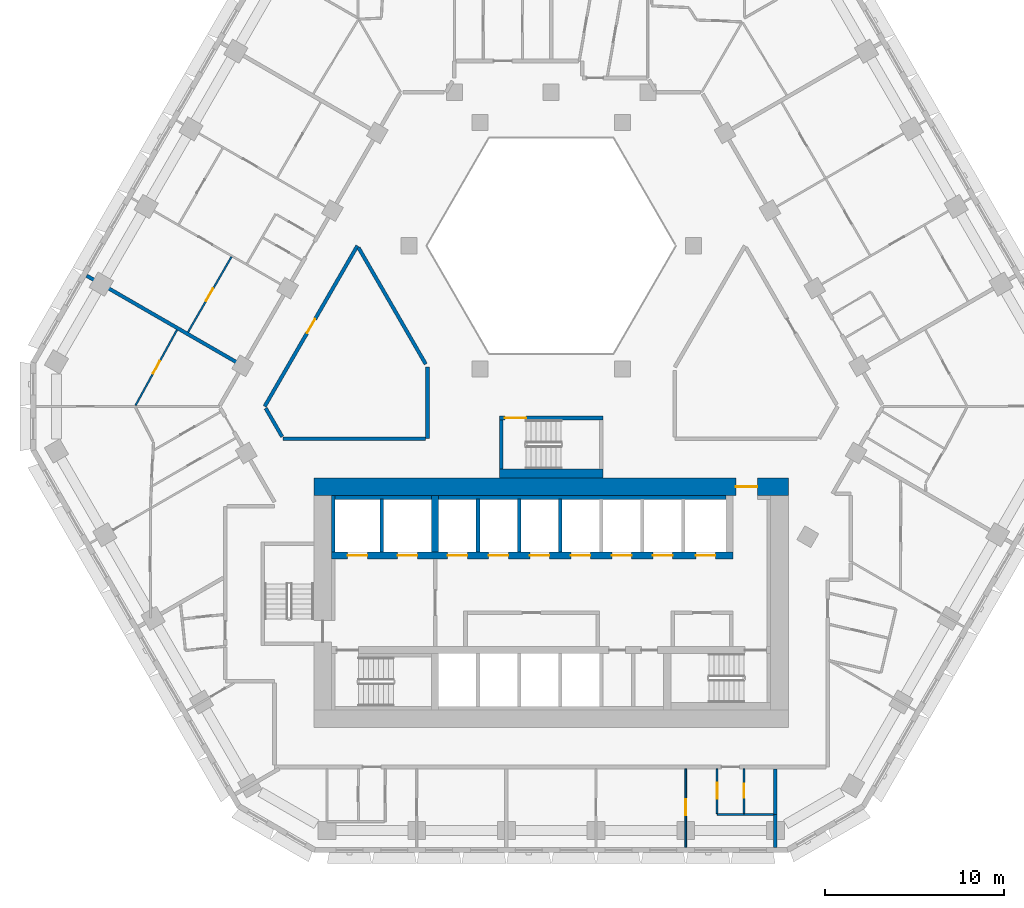
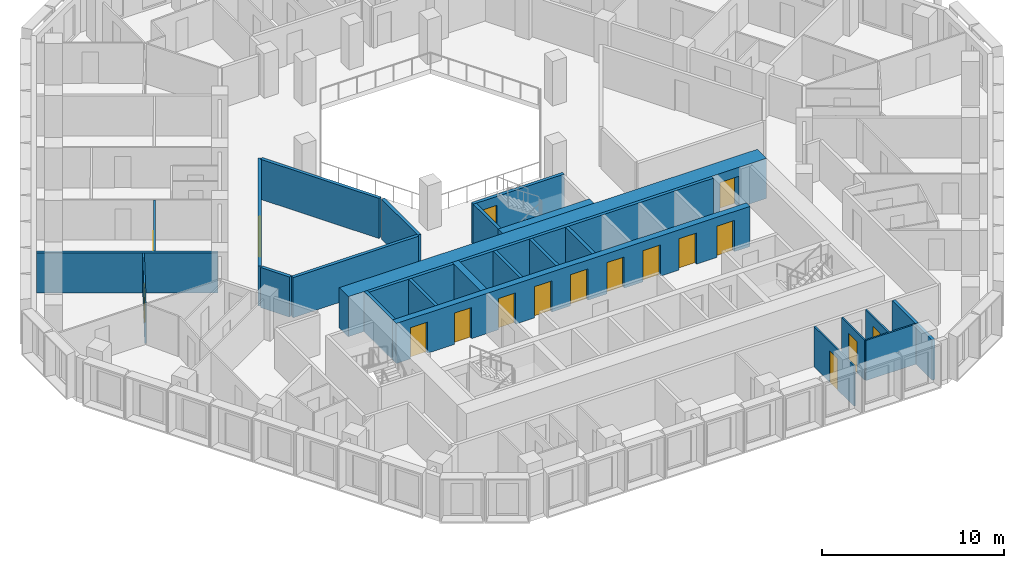
# One storey, part 5 of 18: 27 walls, 17 doors, 17 openings.
"""IFC4 building model written with IfcOpenShell, lengths in metres."""

from ifc_helpers import new_model, si_unit, direction, frame, frame_2d, origin, place, context, subcontext, project, spatial, rectangle, extrude, material, layer, layer_set, type_object, element, fill, save


model = new_model("IFC4")

# Units and contexts
model_context = context("Model", 3, precision=1e-05, world=origin(), true_north=direction((0.0, 1.0)))
body_context = subcontext(model_context, "Body", "Model", "MODEL_VIEW")
ifc_project = project(units=[si_unit("LENGTHUNIT", "METRE"), si_unit("AREAUNIT", "SQUARE_METRE"), si_unit("VOLUMEUNIT", "CUBIC_METRE"), si_unit("PLANEANGLEUNIT", "RADIAN"), si_unit("MASSUNIT", "GRAM", prefix="KILO")], contexts=[model_context])

# Site, building, storey
site_placement = place(None, origin())
site = spatial("IfcSite", under=ifc_project, at=site_placement, CompositionType="ELEMENT")
building_placement = place(site_placement, origin())
building = spatial("IfcBuilding", under=site, at=building_placement, Name="Beryl Residences", CompositionType="ELEMENT")
storey_placement = place(building_placement, frame((0.0, 0.0, 81.0)))
storey = spatial("IfcBuildingStorey", under=building, at=storey_placement, Name="L24", CompositionType="ELEMENT", Elevation=81.0)

# Wall, opening, door
ifc_material_1 = material(Name="Gypsum board partition on steel studs", Category="steel")
ifc_layer_1 = layer(ifc_material_1, 0.10009765625)
ifc_layer_set_1 = layer_set([ifc_layer_1], Name="PT1 partition 100 mm gypsum board on steel studs")
wall_type_1 = type_object("IfcWallType", Name="PT1 partition 100 mm gypsum board on steel studs", PredefinedType="PARTITIONING", material=ifc_layer_set_1)
wall_1_placement = place(storey_placement, frame((9.29296875, -21.300048828125, 0.0), z_axis=(0.0, 0.0, 1.0), x_axis=(0.0, -1.0, 0.0)))
wall_1 = element("IfcWall", 1, at=wall_1_placement, inside=storey, type_object=wall_type_1, Name="Wall PT1 L24 016", PredefinedType="PARTITIONING", context=body_context, shape_type="SweptSolid", body=[
    extrude(rectangle(XDim=2.509033203125, YDim=0.10009765625, at=frame_2d((1.25439453125, 0.0))), origin(), (0.0, 0.0, 1.0), 2.699951171875),
])
opening_1_placement = place(wall_1_placement, frame((0.780029296875, 0.0, 0.0)))
opening_1 = element("IfcOpeningElement", 2, at=opening_1_placement, cuts=wall_1, Name="Opening D0634", PredefinedType="OPENING", context=body_context, shape_type="SweptSolid", body=[
    extrude(rectangle(XDim=0.89990234375, YDim=2.10009765625, at=frame_2d((0.449951171875, 1.050048828125))), frame((0.0, 0.06005859375, 0.0), z_axis=(0.0, -1.0, 0.0), x_axis=(1.0, 0.0, 0.0)), (0.0, 0.0, 1.0), 0.1201171875),
])
ifc_material_2 = material(Name="Timber door leaf", Category="wood")
door_type_1 = type_object("IfcDoorType", Name="D2 room door 900 x 2100 mm", OperationType="SINGLE_SWING_LEFT", PredefinedType="DOOR", material=ifc_material_2)
door_1_placement = place(opening_1_placement, origin())
door_1 = element("IfcDoor", 3, at=door_1_placement, inside=storey, type_object=door_type_1, Name="Door D0634 L24 001", OperationType="SINGLE_SWING_RIGHT", OverallHeight=2.10009765625, OverallWidth=0.89990234375, PredefinedType="DOOR", context=body_context, shape_type="SweptSolid", body=[
    extrude(rectangle(XDim=0.89990234375, YDim=2.10009765625, at=frame_2d((0.449951171875, 1.050048828125))), frame((0.0, 0.02490234375, 0.0), z_axis=(0.0, -1.0, 0.0), x_axis=(1.0, 0.0, 0.0)), (0.0, 0.0, 1.0), 0.050048828125),
])
fill(opening_1, door_1)

# Wall
wall_2_placement = place(storey_placement, frame((9.2939453125, -23.860107421875, 0.0), z_axis=(0.0, 0.0, 1.0), x_axis=(1.0, 0.0, 0.0)))
element("IfcWall", 4, at=wall_2_placement, inside=storey, type_object=wall_type_1, Name="Wall PT1 L24 034", PredefinedType="PARTITIONING", context=body_context, shape_type="SweptSolid", body=[
    extrude(rectangle(XDim=3.1640625, YDim=0.10009765625, at=frame_2d((1.58203125, 0.0))), origin(), (0.0, 0.0, 1.0), 2.699951171875),
])

# Wall, opening, door
wall_3_placement = place(storey_placement, frame((-20.344970703125, 3.162109375, 0.0), z_axis=(0.0, 0.0, 1.0), x_axis=(0.499943653708, 0.866057932887, 0.0)))
wall_3 = element("IfcWall", 5, at=wall_3_placement, inside=storey, type_object=wall_type_1, Name="Wall PT1 L24 043", PredefinedType="PARTITIONING", context=body_context, shape_type="SweptSolid", body=[
    extrude(rectangle(XDim=4.87255859375, YDim=0.10009765625, at=frame_2d((2.436279296875, 0.0))), origin(), (0.0, 0.0, 1.0), 2.699951171875),
])
opening_2_placement = place(wall_3_placement, frame((2.010986328125, 0.0, 0.0)))
opening_2 = element("IfcOpeningElement", 6, at=opening_2_placement, cuts=wall_3, Name="Opening D0616", PredefinedType="OPENING", context=body_context, shape_type="SweptSolid", body=[
    extrude(rectangle(XDim=0.800048828125, YDim=2.10009765625, at=frame_2d((0.39990234375, 1.050048828125))), frame((0.0, 0.06005859375, 0.0), z_axis=(0.0, -1.0, 0.0), x_axis=(1.0, 0.0, 0.0)), (0.0, 0.0, 1.0), 0.1201171875),
])
ifc_material_3 = material(Name="Timber door leaf", Category="wood")
door_type_2 = type_object("IfcDoorType", Name="D3 bathroom door 800 x 2100 mm", OperationType="SINGLE_SWING_LEFT", PredefinedType="DOOR", material=ifc_material_3)
door_2_placement = place(opening_2_placement, origin())
door_2 = element("IfcDoor", 7, at=door_2_placement, inside=storey, type_object=door_type_2, Name="Door D0616 L24 001", OperationType="SINGLE_SWING_RIGHT", OverallHeight=2.10009765625, OverallWidth=0.800048828125, PredefinedType="DOOR", context=body_context, shape_type="SweptSolid", body=[
    extrude(rectangle(XDim=0.800048828125, YDim=2.10009765625, at=frame_2d((0.39990234375, 1.050048828125))), frame((0.0, 0.02490234375, 0.0), z_axis=(0.0, -1.0, 0.0), x_axis=(1.0, 0.0, 0.0)), (0.0, 0.0, 1.0), 0.050048828125),
])
fill(opening_2, door_2)

wall_4_placement = place(storey_placement, frame((-23.2890625, -0.950927734375, 0.0), z_axis=(0.0, 0.0, 1.0), x_axis=(0.481164463081, 0.876630343684, 0.0)))
wall_4 = element("IfcWall", 8, at=wall_4_placement, inside=storey, type_object=wall_type_1, Name="Wall PT1 L24 046", PredefinedType="PARTITIONING", context=body_context, shape_type="SweptSolid", body=[
    extrude(rectangle(XDim=4.83447265625, YDim=0.10009765625, at=frame_2d((2.417236328125, 0.0))), origin(), (0.0, 0.0, 1.0), 2.699951171875),
])
opening_3_placement = place(wall_4_placement, frame((2.0390625, 0.0, 0.0)))
opening_3 = element("IfcOpeningElement", 9, at=opening_3_placement, cuts=wall_4, Name="Opening D0624", PredefinedType="OPENING", context=body_context, shape_type="SweptSolid", body=[
    extrude(rectangle(XDim=0.800048828125, YDim=2.10009765625, at=frame_2d((0.39990234375, 1.050048828125))), frame((0.0, 0.06005859375, 0.0), z_axis=(0.0, -1.0, 0.0), x_axis=(1.0, 0.0, 0.0)), (0.0, 0.0, 1.0), 0.1201171875),
])
door_3_placement = place(opening_3_placement, origin())
door_3 = element("IfcDoor", 10, at=door_3_placement, inside=storey, type_object=door_type_2, Name="Door D0624 L24 001", OperationType="SINGLE_SWING_RIGHT", OverallHeight=2.10009765625, OverallWidth=0.800048828125, PredefinedType="DOOR", context=body_context, shape_type="SweptSolid", body=[
    extrude(rectangle(XDim=0.800048828125, YDim=2.10009765625, at=frame_2d((0.39990234375, 1.050048828125))), frame((0.0, 0.02490234375, 0.0), z_axis=(0.0, -1.0, 0.0), x_axis=(1.0, 0.0, 0.0)), (0.0, 0.0, 1.0), 0.050048828125),
])
fill(opening_3, door_3)

wall_5_placement = place(storey_placement, frame((7.534912109375, -25.699951171875, 0.0), z_axis=(0.0, 0.0, 1.0), x_axis=(0.0, 1.0, 0.0)))
wall_5 = element("IfcWall", 11, at=wall_5_placement, inside=storey, type_object=wall_type_1, Name="Wall PT1 L24 056", PredefinedType="PARTITIONING", context=body_context, shape_type="SweptSolid", body=[
    extrude(rectangle(XDim=4.39990234375, YDim=0.10009765625, at=frame_2d((2.199951171875, 0.0))), origin(), (0.0, 0.0, 1.0), 2.699951171875),
])
opening_4_placement = place(wall_5_placement, frame((1.800048828125, 0.0, 0.0)))
opening_4 = element("IfcOpeningElement", 12, at=opening_4_placement, cuts=wall_5, Name="Opening D0636", PredefinedType="OPENING", context=body_context, shape_type="SweptSolid", body=[
    extrude(rectangle(XDim=0.89990234375, YDim=2.10009765625, at=frame_2d((0.449951171875, 1.050048828125))), frame((0.0, 0.06005859375, 0.0), z_axis=(0.0, -1.0, 0.0), x_axis=(1.0, 0.0, 0.0)), (0.0, 0.0, 1.0), 0.1201171875),
])
door_4_placement = place(opening_4_placement, origin())
door_4 = element("IfcDoor", 13, at=door_4_placement, inside=storey, type_object=door_type_1, Name="Door D0636 L24 001", OperationType="SINGLE_SWING_RIGHT", OverallHeight=2.10009765625, OverallWidth=0.89990234375, PredefinedType="DOOR", context=body_context, shape_type="SweptSolid", body=[
    extrude(rectangle(XDim=0.89990234375, YDim=2.10009765625, at=frame_2d((0.449951171875, 1.050048828125))), frame((0.0, 0.02490234375, 0.0), z_axis=(0.0, -1.0, 0.0), x_axis=(1.0, 0.0, 0.0)), (0.0, 0.0, 1.0), 0.050048828125),
])
fill(opening_4, door_4)

wall_6_placement = place(storey_placement, frame((10.800048828125, -23.81005859375, 0.0), z_axis=(0.0, 0.0, 1.0), x_axis=(0.0, 1.0, 0.0)))
wall_6 = element("IfcWall", 14, at=wall_6_placement, inside=storey, type_object=wall_type_1, Name="Wall PT1 L24 057", PredefinedType="PARTITIONING", context=body_context, shape_type="SweptSolid", body=[
    extrude(rectangle(XDim=2.510009765625, YDim=0.10009765625, at=frame_2d((1.2548828125, 0.0))), origin(), (0.0, 0.0, 1.0), 2.699951171875),
])
opening_5_placement = place(wall_6_placement, frame((0.8798828125, 0.0, 0.0)))
opening_5 = element("IfcOpeningElement", 15, at=opening_5_placement, cuts=wall_6, Name="Opening D0635", PredefinedType="OPENING", context=body_context, shape_type="SweptSolid", body=[
    extrude(rectangle(XDim=0.800048828125, YDim=2.10009765625, at=frame_2d((0.39990234375, 1.050048828125))), frame((0.0, 0.06005859375, 0.0), z_axis=(0.0, -1.0, 0.0), x_axis=(1.0, 0.0, 0.0)), (0.0, 0.0, 1.0), 0.1201171875),
])
door_5_placement = place(opening_5_placement, origin())
door_5 = element("IfcDoor", 16, at=door_5_placement, inside=storey, type_object=door_type_2, Name="Door D0635 L24 001", OperationType="SINGLE_SWING_LEFT", OverallHeight=2.10009765625, OverallWidth=0.800048828125, PredefinedType="DOOR", context=body_context, shape_type="SweptSolid", body=[
    extrude(rectangle(XDim=0.800048828125, YDim=2.10009765625, at=frame_2d((0.39990234375, 1.050048828125))), frame((0.0, 0.02490234375, 0.0), z_axis=(0.0, -1.0, 0.0), x_axis=(1.0, 0.0, 0.0)), (0.0, 0.0, 1.0), 0.050048828125),
])
fill(opening_5, door_5)

# Walls
ifc_material_4 = material(Name="Acoustic double stud gypsum board wall")
ifc_layer_2 = layer(ifc_material_4, 0.199951171875)
ifc_layer_set_2 = layer_set([ifc_layer_2], Name="PT3 party wall 200 mm acoustic double stud")
wall_type_2 = type_object("IfcWallType", Name="PT3 party wall 200 mm acoustic double stud", PredefinedType="PARTITIONING", material=ifc_layer_set_2)
wall_7_placement = place(storey_placement, frame((12.55810546875, -23.860107421875, 0.0), z_axis=(0.0, 0.0, 1.0), x_axis=(0.0, -1.0, 0.0)))
element("IfcWall", 17, at=wall_7_placement, inside=storey, type_object=wall_type_2, Name="Wall PT3 L24 001", PredefinedType="PARTITIONING", context=body_context, shape_type="SweptSolid", body=[
    extrude(rectangle(XDim=1.83984375, YDim=0.199951171875, at=frame_2d((0.919921875, 0.0))), origin(), (0.0, 0.0, 1.0), 2.699951171875),
])
wall_8_placement = place(storey_placement, frame((-26.02490234375, 6.324951171875, 0.0), z_axis=(0.0, 0.0, 1.0), x_axis=(0.866041268327, -0.499972520799, 0.0)))
element("IfcWall", 18, at=wall_8_placement, inside=storey, type_object=wall_type_2, Name="Wall PT3 L24 002", PredefinedType="PARTITIONING", context=body_context, shape_type="SweptSolid", body=[
    extrude(rectangle(XDim=10.00048828125, YDim=0.199951171875, at=frame_2d((5.000244140625, 0.0))), origin(), (0.0, 0.0, 1.0), 2.699951171875),
])
wall_9_placement = place(storey_placement, frame((12.55810546875, -23.860107421875, 0.0), z_axis=(0.0, 0.0, 1.0), x_axis=(0.0, 1.0, 0.0)))
element("IfcWall", 19, at=wall_9_placement, inside=storey, type_object=wall_type_2, Name="Wall PT3 L24 005", PredefinedType="PARTITIONING", context=body_context, shape_type="SweptSolid", body=[
    extrude(rectangle(XDim=2.56005859375, YDim=0.199951171875, at=frame_2d((1.280029296875, 0.0))), origin(), (0.0, 0.0, 1.0), 2.699951171875),
])
ifc_material_5 = material(Name="Double stud gypsum board wall")
ifc_layer_3 = layer(ifc_material_5, 0.199951171875)
ifc_layer_set_3 = layer_set([ifc_layer_3], Name="PT4 corridor wall 200 mm double stud")
wall_type_3 = type_object("IfcWallType", Name="PT4 corridor wall 200 mm double stud", PredefinedType="PARTITIONING", material=ifc_layer_set_3)
wall_10_placement = place(storey_placement, frame((-10.7958984375, 7.89892578125, 0.0), z_axis=(0.0, 0.0, 1.0), x_axis=(0.500010383074, -0.866019409031, 0.0)))
element("IfcWall", 20, at=wall_10_placement, inside=storey, type_object=wall_type_3, Name="Wall PT4 L24 001", PredefinedType="PARTITIONING", context=body_context, shape_type="SweptSolid", body=[
    extrude(rectangle(XDim=7.535400390625, YDim=0.199951171875, at=frame_2d((3.767578125, 0.0))), origin(), (0.0, 0.0, 1.0), 2.699951171875),
])
wall_11_placement = place(storey_placement, frame((-15.992919921875, -1.10107421875, 0.0), z_axis=(0.0, 0.0, 1.0), x_axis=(0.499894174133, -0.866086493757, 0.0)))
element("IfcWall", 21, at=wall_11_placement, inside=storey, type_object=wall_type_3, Name="Wall PT4 L24 002", PredefinedType="PARTITIONING", context=body_context, shape_type="SweptSolid", body=[
    extrude(rectangle(XDim=1.84619140625, YDim=0.199951171875, at=frame_2d((0.923095703125, 0.0))), origin(), (0.0, 0.0, 1.0), 2.699951171875),
])
wall_12_placement = place(storey_placement, frame((-15.010986328125, -2.800048828125, 0.0), z_axis=(0.0, 0.0, 1.0), x_axis=(1.0, 0.0, 0.0)))
element("IfcWall", 22, at=wall_12_placement, inside=storey, type_object=wall_type_3, Name="Wall PT4 L24 017", PredefinedType="PARTITIONING", context=body_context, shape_type="SweptSolid", body=[
    extrude(rectangle(XDim=7.98193359375, YDim=0.199951171875, at=frame_2d((3.990966796875, 0.0))), origin(), (0.0, 0.0, 1.0), 2.699951171875),
])

# Wall, opening, door
wall_13_placement = place(storey_placement, frame((-16.050048828125, -1.0, 0.0), z_axis=(0.0, 0.0, 1.0), x_axis=(0.499962449088, 0.866047082728, 0.0)))
wall_13 = element("IfcWall", 23, at=wall_13_placement, inside=storey, type_object=wall_type_3, Name="Wall PT4 L24 026", PredefinedType="PARTITIONING", context=body_context, shape_type="SweptSolid", body=[
    extrude(rectangle(XDim=10.390869140625, YDim=0.199951171875, at=frame_2d((5.1953125, 0.0))), origin(), (0.0, 0.0, 1.0), 2.699951171875),
])
opening_6_placement = place(wall_13_placement, frame((4.7451171875, 0.0, 0.0)))
opening_6 = element("IfcOpeningElement", 24, at=opening_6_placement, cuts=wall_13, Name="Opening D0666", PredefinedType="OPENING", context=body_context, shape_type="SweptSolid", body=[
    extrude(rectangle(XDim=0.89990234375, YDim=2.10009765625, at=frame_2d((0.449951171875, 1.050048828125))), frame((0.0, 0.10986328125, 0.0), z_axis=(0.0, -1.0, 0.0), x_axis=(1.0, 0.0, 0.0)), (0.0, 0.0, 1.0), 0.219970703125),
])
door_6_placement = place(opening_6_placement, origin())
door_6 = element("IfcDoor", 25, at=door_6_placement, inside=storey, type_object=door_type_1, Name="Door D0666 L24 001", OperationType="SINGLE_SWING_RIGHT", OverallHeight=2.10009765625, OverallWidth=0.89990234375, PredefinedType="DOOR", context=body_context, shape_type="SweptSolid", body=[
    extrude(rectangle(XDim=0.89990234375, YDim=2.10009765625, at=frame_2d((0.449951171875, 1.050048828125))), frame((0.0, 0.02490234375, 0.0), z_axis=(0.0, -1.0, 0.0), x_axis=(1.0, 0.0, 0.0)), (0.0, 0.0, 1.0), 0.050048828125),
])
fill(opening_6, door_6)

# Wall
wall_14_placement = place(storey_placement, frame((-6.927978515625, -2.799072265625, 0.0), z_axis=(0.0, 0.0, 1.0), x_axis=(0.0, 1.0, 0.0)))
element("IfcWall", 26, at=wall_14_placement, inside=storey, type_object=wall_type_3, Name="Wall PT4 L24 032", PredefinedType="PARTITIONING", context=body_context, shape_type="SweptSolid", body=[
    extrude(rectangle(XDim=3.9990234375, YDim=0.199951171875, at=frame_2d((1.99951171875, 0.0))), origin(), (0.0, 0.0, 1.0), 2.699951171875),
])

# Wall, opening, door
ifc_material_6 = material(Name="Concrete C40/50", Category="concrete")
ifc_layer_4 = layer(ifc_material_6, 0.199951171875)
ifc_layer_set_4 = layer_set([ifc_layer_4], Name="PT5 stair enclosure wall 200 mm reinforced concrete C40/50")
wall_type_4 = type_object("IfcWallType", Name="PT5 stair enclosure wall 200 mm reinforced concrete C40/50", PredefinedType="SOLIDWALL", material=ifc_layer_set_4)
wall_15_placement = place(storey_placement, frame((-2.89990234375, -1.64990234375, 0.0), z_axis=(0.0, 0.0, 1.0), x_axis=(1.0, 0.0, 0.0)))
wall_15 = element("IfcWall", 27, at=wall_15_placement, inside=storey, type_object=wall_type_4, Name="Wall PT5 L24 001", PredefinedType="SOLIDWALL", context=body_context, shape_type="SweptSolid", body=[
    extrude(rectangle(XDim=5.7998046875, YDim=0.199951171875, at=frame_2d((2.89990234375, 0.0))), origin(), (0.0, 0.0, 1.0), 2.699951171875),
])
opening_7_placement = place(wall_15_placement, frame((0.300048828125, 0.0, 0.0)))
opening_7 = element("IfcOpeningElement", 28, at=opening_7_placement, cuts=wall_15, Name="Opening DS04", PredefinedType="OPENING", context=body_context, shape_type="SweptSolid", body=[
    extrude(rectangle(XDim=1.199951171875, YDim=2.10009765625, at=frame_2d((0.60009765625, 1.050048828125))), frame((0.0, 0.10986328125, 0.0), z_axis=(0.0, -1.0, 0.0), x_axis=(1.0, 0.0, 0.0)), (0.0, 0.0, 1.0), 0.219970703125),
])
ifc_material_7 = material(Name="Steel door leaf in steel frame", Category="steel")
door_type_3 = type_object("IfcDoorType", Name="D4 stair door 1200 x 2100 mm", OperationType="SINGLE_SWING_LEFT", PredefinedType="DOOR", material=ifc_material_7)
door_7_placement = place(opening_7_placement, origin())
door_7 = element("IfcDoor", 29, at=door_7_placement, inside=storey, type_object=door_type_3, Name="Door DS04 L24 001", OperationType="SINGLE_SWING_LEFT", OverallHeight=2.10009765625, OverallWidth=1.199951171875, PredefinedType="DOOR", context=body_context, shape_type="SweptSolid", body=[
    extrude(rectangle(XDim=1.199951171875, YDim=2.10009765625, at=frame_2d((0.60009765625, 1.050048828125))), frame((0.0, 0.02490234375, 0.0), z_axis=(0.0, -1.0, 0.0), x_axis=(1.0, 0.0, 0.0)), (0.0, 0.0, 1.0), 0.050048828125),
])
fill(opening_7, door_7)

# Walls
wall_16_placement = place(storey_placement, frame((-2.800048828125, -4.5, 0.0), z_axis=(0.0, 0.0, 1.0), x_axis=(0.0, 1.0, 0.0)))
element("IfcWall", 30, at=wall_16_placement, inside=storey, type_object=wall_type_4, Name="Wall PT5 L24 002", PredefinedType="SOLIDWALL", context=body_context, shape_type="SweptSolid", body=[
    extrude(rectangle(XDim=2.75, YDim=0.199951171875, at=frame_2d((1.375, 0.0))), origin(), (0.0, 0.0, 1.0), 2.699951171875),
])
ifc_material_8 = material(Name="Concrete C40/50", Category="concrete")
ifc_layer_5 = layer(ifc_material_8, 0.5)
ifc_layer_set_5 = layer_set([ifc_layer_5], Name="PT5-500 stair enclosure wall 500 mm")
wall_type_5 = type_object("IfcWallType", Name="PT5-500 stair enclosure wall 500 mm", PredefinedType="SOLIDWALL", material=ifc_layer_set_5)
wall_17_placement = place(storey_placement, frame((-2.89990234375, -4.75, 0.0), z_axis=(0.0, 0.0, 1.0), x_axis=(1.0, 0.0, 0.0)))
element("IfcWall", 31, at=wall_17_placement, inside=storey, type_object=wall_type_5, Name="Wall PT5-500 L24 001", PredefinedType="SOLIDWALL", context=body_context, shape_type="SweptSolid", body=[
    extrude(rectangle(XDim=5.7998046875, YDim=0.5, at=frame_2d((2.89990234375, 0.0))), origin(), (0.0, 0.0, 1.0), 2.699951171875),
])
ifc_material_9 = material(Name="Concrete C40/50", Category="concrete")
ifc_layer_6 = layer(ifc_material_9, 0.199951171875)
ifc_layer_set_6 = layer_set([ifc_layer_6], Name="PT6 lift shaft wall 200 mm reinforced concrete C40/50")
wall_type_6 = type_object("IfcWallType", Name="PT6 lift shaft wall 200 mm reinforced concrete C40/50", PredefinedType="SOLIDWALL", material=ifc_layer_set_6)
wall_18_placement = place(storey_placement, frame((-12.199951171875, -9.14990234375, 0.0), z_axis=(0.0, 0.0, 1.0), x_axis=(0.0, 1.0, 0.0)))
element("IfcWall", 32, at=wall_18_placement, inside=storey, type_object=wall_type_6, Name="Lift shaft wall 06", PredefinedType="SOLIDWALL", context=body_context, shape_type="SweptSolid", body=[
    extrude(rectangle(XDim=3.14990234375, YDim=0.199951171875, at=frame_2d((1.574951171875, 0.0))), origin(), (0.0, 0.0, 1.0), 2.699951171875),
])
wall_19_placement = place(storey_placement, frame((-12.10009765625, -6.10009765625, 0.0), z_axis=(0.0, 0.0, 1.0), x_axis=(1.0, 0.0, 0.0)))
element("IfcWall", 33, at=wall_19_placement, inside=storey, type_object=wall_type_6, Name="Lift shaft wall 08", PredefinedType="SOLIDWALL", context=body_context, shape_type="SweptSolid", body=[
    extrude(rectangle(XDim=5.400146484375, YDim=0.199951171875, at=frame_2d((2.7001953125, 0.0))), origin(), (0.0, 0.0, 1.0), 2.699951171875),
])
wall_20_placement = place(storey_placement, frame((-9.5, -9.14990234375, 0.0), z_axis=(0.0, 0.0, 1.0), x_axis=(0.0, 1.0, 0.0)))
element("IfcWall", 34, at=wall_20_placement, inside=storey, type_object=wall_type_6, Name="Lift shaft wall 10", PredefinedType="SOLIDWALL", context=body_context, shape_type="SweptSolid", body=[
    extrude(rectangle(XDim=2.949951171875, YDim=0.199951171875, at=frame_2d((1.47509765625, 0.0))), origin(), (0.0, 0.0, 1.0), 2.699951171875),
])
wall_21_placement = place(storey_placement, frame((-6.300048828125, -6.10009765625, 0.0), z_axis=(0.0, 0.0, 1.0), x_axis=(1.0, 0.0, 0.0)))
element("IfcWall", 35, at=wall_21_placement, inside=storey, type_object=wall_type_6, Name="Lift shaft wall 13", PredefinedType="SOLIDWALL", context=body_context, shape_type="SweptSolid", body=[
    extrude(rectangle(XDim=16.10009765625, YDim=0.199951171875, at=frame_2d((8.050048828125, 0.0))), origin(), (0.0, 0.0, 1.0), 2.699951171875),
])
for number, where, z_axis, x_axis, name in (
    (36, (-4.10009765625, -9.14990234375, 0.0), (0.0, 0.0, 1.0), (0.0, 1.0, 0.0), "Lift shaft wall 17"),
    (37, (-1.800048828125, -9.14990234375, 0.0), (0.0, 0.0, 1.0), (0.0, 1.0, 0.0), "Lift shaft wall 19"),
    (38, (0.5, -9.14990234375, 0.0), (0.0, 0.0, 1.0), (0.0, 1.0, 0.0), "Lift shaft wall 21"),
):
    element("IfcWall", number, at=place(storey_placement, frame(where, z_axis=z_axis, x_axis=x_axis)), inside=storey, type_object=wall_type_6, Name=name, PredefinedType="SOLIDWALL", context=body_context, shape_type="SweptSolid", body=[
        extrude(rectangle(XDim=2.949951171875, YDim=0.199951171875, at=frame_2d((1.47509765625, 0.0))), origin(), (0.0, 0.0, 1.0), 2.699951171875),
    ])

# Wall, opening, door
ifc_material_10 = material(Name="Concrete C70/85", Category="concrete")
ifc_layer_7 = layer(ifc_material_10, 1.0)
ifc_layer_set_7 = layer_set([ifc_layer_7], Name="SW2 core outer wall 1000 mm C70/85")
wall_type_7 = type_object("IfcWallType", Name="SW2 core outer wall 1000 mm C70/85", PredefinedType="SHEAR", material=ifc_layer_set_7)
wall_22_placement = place(storey_placement, frame((-13.300048828125, -5.5, 0.0), z_axis=(0.0, 0.0, 1.0), x_axis=(1.0, 0.0, 0.0)))
wall_22 = element("IfcWall", 39, at=wall_22_placement, inside=storey, type_object=wall_type_7, Name="Core wall N L24", PredefinedType="SHEAR", context=body_context, shape_type="SweptSolid", body=[
    extrude(rectangle(XDim=26.60009765625, YDim=1.0, at=frame_2d((13.300048828125, 0.0))), origin(), (0.0, 0.0, 1.0), 2.699951171875),
])
opening_8_placement = place(wall_22_placement, frame((23.64990234375, 0.0, 0.0)))
opening_8 = element("IfcOpeningElement", 40, at=opening_8_placement, cuts=wall_22, Name="Opening FD-NORTH", PredefinedType="OPENING", context=body_context, shape_type="SweptSolid", body=[
    extrude(rectangle(XDim=1.199951171875, YDim=2.10009765625, at=frame_2d((0.60009765625, 1.050048828125))), frame((0.0, 0.510009765625, 0.0), z_axis=(0.0, -1.0, 0.0), x_axis=(1.0, 0.0, 0.0)), (0.0, 0.0, 1.0), 1.02001953125),
])
ifc_material_11 = material(Name="Steel door leaf in steel frame", Category="steel")
door_type_4 = type_object("IfcDoorType", Name="D22 lobby door 1200 x 2100 mm", OperationType="DOUBLE_DOOR_SINGLE_SWING", PredefinedType="DOOR", material=ifc_material_11)
door_8_placement = place(opening_8_placement, origin())
door_8 = element("IfcDoor", 41, at=door_8_placement, inside=storey, type_object=door_type_4, Name="Door FD-NORTH L24 001", OperationType="DOUBLE_DOOR_SINGLE_SWING", OverallHeight=2.10009765625, OverallWidth=1.199951171875, PredefinedType="DOOR", context=body_context, shape_type="SweptSolid", body=[
    extrude(rectangle(XDim=1.199951171875, YDim=2.10009765625, at=frame_2d((0.60009765625, 1.050048828125))), frame((0.0, 0.02490234375, 0.0), z_axis=(0.0, -1.0, 0.0), x_axis=(1.0, 0.0, 0.0)), (0.0, 0.0, 1.0), 0.050048828125),
])
fill(opening_8, door_8)

# Wall, openings, doors
ifc_material_12 = material(Name="Concrete C70/85", Category="concrete")
ifc_layer_8 = layer(ifc_material_12, 0.39990234375)
ifc_layer_set_8 = layer_set([ifc_layer_8], Name="SW7 core internal wall 400 mm C70/85")
wall_type_8 = type_object("IfcWallType", Name="SW7 core internal wall 400 mm C70/85", PredefinedType="SHEAR", material=ifc_layer_set_8)
wall_23_placement = place(storey_placement, frame((-12.300048828125, -9.35009765625, 0.0), z_axis=(0.0, 0.0, 1.0), x_axis=(1.0, 0.0, 0.0)))
wall_23 = element("IfcWall", 42, at=wall_23_placement, inside=storey, type_object=wall_type_8, Name="Core wall SP2 L24", PredefinedType="SHEAR", context=body_context, shape_type="SweptSolid", body=[
    extrude(rectangle(XDim=22.5, YDim=0.39990234375, at=frame_2d((11.25, 0.0))), origin(), (0.0, 0.0, 1.0), 2.699951171875),
])
opening_9_placement = place(wall_23_placement, frame((0.89990234375, 0.0, 0.0)))
opening_9 = element("IfcOpeningElement", 43, at=opening_9_placement, cuts=wall_23, Name="Opening LD-FF1", PredefinedType="OPENING", context=body_context, shape_type="SweptSolid", body=[
    extrude(rectangle(XDim=1.10009765625, YDim=2.10009765625, at=frame_2d((0.550048828125, 1.050048828125))), frame((0.0, 0.2099609375, 0.0), z_axis=(0.0, -1.0, 0.0), x_axis=(1.0, 0.0, 0.0)), (0.0, 0.0, 1.0), 0.419921875),
])
opening_10_placement = place(wall_23_placement, frame((3.699951171875, 0.0, 0.0)))
opening_10 = element("IfcOpeningElement", 44, at=opening_10_placement, cuts=wall_23, Name="Opening LD-FF2", PredefinedType="OPENING", context=body_context, shape_type="SweptSolid", body=[
    extrude(rectangle(XDim=1.10009765625, YDim=2.10009765625, at=frame_2d((0.550048828125, 1.050048828125))), frame((0.0, 0.2099609375, 0.0), z_axis=(0.0, -1.0, 0.0), x_axis=(1.0, 0.0, 0.0)), (0.0, 0.0, 1.0), 0.419921875),
])
opening_11_placement = place(wall_23_placement, frame((6.5, 0.0, 0.0)))
opening_11 = element("IfcOpeningElement", 45, at=opening_11_placement, cuts=wall_23, Name="Opening LD-LR1", PredefinedType="OPENING", context=body_context, shape_type="SweptSolid", body=[
    extrude(rectangle(XDim=1.10009765625, YDim=2.10009765625, at=frame_2d((0.550048828125, 1.050048828125))), frame((0.0, 0.2099609375, 0.0), z_axis=(0.0, -1.0, 0.0), x_axis=(1.0, 0.0, 0.0)), (0.0, 0.0, 1.0), 0.419921875),
])
opening_12_placement = place(wall_23_placement, frame((8.800048828125, 0.0, 0.0)))
opening_12 = element("IfcOpeningElement", 46, at=opening_12_placement, cuts=wall_23, Name="Opening LD-LR2", PredefinedType="OPENING", context=body_context, shape_type="SweptSolid", body=[
    extrude(rectangle(XDim=1.10009765625, YDim=2.10009765625, at=frame_2d((0.550048828125, 1.050048828125))), frame((0.0, 0.2099609375, 0.0), z_axis=(0.0, -1.0, 0.0), x_axis=(1.0, 0.0, 0.0)), (0.0, 0.0, 1.0), 0.419921875),
])
opening_13_placement = place(wall_23_placement, frame((11.10009765625, 0.0, 0.0)))
opening_13 = element("IfcOpeningElement", 47, at=opening_13_placement, cuts=wall_23, Name="Opening LD-LR3", PredefinedType="OPENING", context=body_context, shape_type="SweptSolid", body=[
    extrude(rectangle(XDim=1.10009765625, YDim=2.10009765625, at=frame_2d((0.550048828125, 1.050048828125))), frame((0.0, 0.2099609375, 0.0), z_axis=(0.0, -1.0, 0.0), x_axis=(1.0, 0.0, 0.0)), (0.0, 0.0, 1.0), 0.419921875),
])
opening_14_placement = place(wall_23_placement, frame((13.39990234375, 0.0, 0.0)))
opening_14 = element("IfcOpeningElement", 48, at=opening_14_placement, cuts=wall_23, Name="Opening LD-LR4", PredefinedType="OPENING", context=body_context, shape_type="SweptSolid", body=[
    extrude(rectangle(XDim=1.10009765625, YDim=2.10009765625, at=frame_2d((0.550048828125, 1.050048828125))), frame((0.0, 0.2099609375, 0.0), z_axis=(0.0, -1.0, 0.0), x_axis=(1.0, 0.0, 0.0)), (0.0, 0.0, 1.0), 0.419921875),
])
opening_15_placement = place(wall_23_placement, frame((15.699951171875, 0.0, 0.0)))
opening_15 = element("IfcOpeningElement", 49, at=opening_15_placement, cuts=wall_23, Name="Opening LD-LR5", PredefinedType="OPENING", context=body_context, shape_type="SweptSolid", body=[
    extrude(rectangle(XDim=1.10009765625, YDim=2.10009765625, at=frame_2d((0.550048828125, 1.050048828125))), frame((0.0, 0.2099609375, 0.0), z_axis=(0.0, -1.0, 0.0), x_axis=(1.0, 0.0, 0.0)), (0.0, 0.0, 1.0), 0.419921875),
])
opening_16_placement = place(wall_23_placement, frame((18.0, 0.0, 0.0)))
opening_16 = element("IfcOpeningElement", 50, at=opening_16_placement, cuts=wall_23, Name="Opening LD-LR6", PredefinedType="OPENING", context=body_context, shape_type="SweptSolid", body=[
    extrude(rectangle(XDim=1.10009765625, YDim=2.10009765625, at=frame_2d((0.550048828125, 1.050048828125))), frame((0.0, 0.2099609375, 0.0), z_axis=(0.0, -1.0, 0.0), x_axis=(1.0, 0.0, 0.0)), (0.0, 0.0, 1.0), 0.419921875),
])
opening_17_placement = place(wall_23_placement, frame((20.39990234375, 0.0, 0.0)))
opening_17 = element("IfcOpeningElement", 51, at=opening_17_placement, cuts=wall_23, Name="Opening LD-SL1", PredefinedType="OPENING", context=body_context, shape_type="SweptSolid", body=[
    extrude(rectangle(XDim=1.10009765625, YDim=2.10009765625, at=frame_2d((0.550048828125, 1.050048828125))), frame((0.0, 0.2099609375, 0.0), z_axis=(0.0, -1.0, 0.0), x_axis=(1.0, 0.0, 0.0)), (0.0, 0.0, 1.0), 0.419921875),
])
ifc_material_13 = material(Name="Stainless steel sliding door", Category="steel")
door_type_5 = type_object("IfcDoorType", Name="LD1 lift landing door 1100 x 2100 mm", OperationType="DOUBLE_DOOR_SLIDING", PredefinedType="DOOR", material=ifc_material_13)
door_9_placement = place(opening_9_placement, origin())
door_9 = element("IfcDoor", 52, at=door_9_placement, inside=storey, type_object=door_type_5, Name="Lift landing door FF1", OperationType="DOUBLE_DOOR_SLIDING", OverallHeight=2.10009765625, OverallWidth=1.10009765625, PredefinedType="DOOR", context=body_context, shape_type="SweptSolid", body=[
    extrude(rectangle(XDim=1.10009765625, YDim=2.10009765625, at=frame_2d((0.550048828125, 1.050048828125))), frame((0.0, 0.02490234375, 0.0), z_axis=(0.0, -1.0, 0.0), x_axis=(1.0, 0.0, 0.0)), (0.0, 0.0, 1.0), 0.050048828125),
])
fill(opening_9, door_9)
door_10_placement = place(opening_10_placement, origin())
door_10 = element("IfcDoor", 53, at=door_10_placement, inside=storey, type_object=door_type_5, Name="Lift landing door FF2", OperationType="DOUBLE_DOOR_SLIDING", OverallHeight=2.10009765625, OverallWidth=1.10009765625, PredefinedType="DOOR", context=body_context, shape_type="SweptSolid", body=[
    extrude(rectangle(XDim=1.10009765625, YDim=2.10009765625, at=frame_2d((0.550048828125, 1.050048828125))), frame((0.0, 0.02490234375, 0.0), z_axis=(0.0, -1.0, 0.0), x_axis=(1.0, 0.0, 0.0)), (0.0, 0.0, 1.0), 0.050048828125),
])
fill(opening_10, door_10)
door_11_placement = place(opening_11_placement, origin())
door_11 = element("IfcDoor", 54, at=door_11_placement, inside=storey, type_object=door_type_5, Name="Lift landing door LR1", OperationType="DOUBLE_DOOR_SLIDING", OverallHeight=2.10009765625, OverallWidth=1.10009765625, PredefinedType="DOOR", context=body_context, shape_type="SweptSolid", body=[
    extrude(rectangle(XDim=1.10009765625, YDim=2.10009765625, at=frame_2d((0.550048828125, 1.050048828125))), frame((0.0, 0.02490234375, 0.0), z_axis=(0.0, -1.0, 0.0), x_axis=(1.0, 0.0, 0.0)), (0.0, 0.0, 1.0), 0.050048828125),
])
fill(opening_11, door_11)
door_12_placement = place(opening_12_placement, origin())
door_12 = element("IfcDoor", 55, at=door_12_placement, inside=storey, type_object=door_type_5, Name="Lift landing door LR2", OperationType="DOUBLE_DOOR_SLIDING", OverallHeight=2.10009765625, OverallWidth=1.10009765625, PredefinedType="DOOR", context=body_context, shape_type="SweptSolid", body=[
    extrude(rectangle(XDim=1.10009765625, YDim=2.10009765625, at=frame_2d((0.550048828125, 1.050048828125))), frame((0.0, 0.02490234375, 0.0), z_axis=(0.0, -1.0, 0.0), x_axis=(1.0, 0.0, 0.0)), (0.0, 0.0, 1.0), 0.050048828125),
])
fill(opening_12, door_12)
door_13_placement = place(opening_13_placement, origin())
door_13 = element("IfcDoor", 56, at=door_13_placement, inside=storey, type_object=door_type_5, Name="Lift landing door LR3", OperationType="DOUBLE_DOOR_SLIDING", OverallHeight=2.10009765625, OverallWidth=1.10009765625, PredefinedType="DOOR", context=body_context, shape_type="SweptSolid", body=[
    extrude(rectangle(XDim=1.10009765625, YDim=2.10009765625, at=frame_2d((0.550048828125, 1.050048828125))), frame((0.0, 0.02490234375, 0.0), z_axis=(0.0, -1.0, 0.0), x_axis=(1.0, 0.0, 0.0)), (0.0, 0.0, 1.0), 0.050048828125),
])
fill(opening_13, door_13)
door_14_placement = place(opening_14_placement, origin())
door_14 = element("IfcDoor", 57, at=door_14_placement, inside=storey, type_object=door_type_5, Name="Lift landing door LR4", OperationType="DOUBLE_DOOR_SLIDING", OverallHeight=2.10009765625, OverallWidth=1.10009765625, PredefinedType="DOOR", context=body_context, shape_type="SweptSolid", body=[
    extrude(rectangle(XDim=1.10009765625, YDim=2.10009765625, at=frame_2d((0.550048828125, 1.050048828125))), frame((0.0, 0.02490234375, 0.0), z_axis=(0.0, -1.0, 0.0), x_axis=(1.0, 0.0, 0.0)), (0.0, 0.0, 1.0), 0.050048828125),
])
fill(opening_14, door_14)
door_15_placement = place(opening_15_placement, origin())
door_15 = element("IfcDoor", 58, at=door_15_placement, inside=storey, type_object=door_type_5, Name="Lift landing door LR5", OperationType="DOUBLE_DOOR_SLIDING", OverallHeight=2.10009765625, OverallWidth=1.10009765625, PredefinedType="DOOR", context=body_context, shape_type="SweptSolid", body=[
    extrude(rectangle(XDim=1.10009765625, YDim=2.10009765625, at=frame_2d((0.550048828125, 1.050048828125))), frame((0.0, 0.02490234375, 0.0), z_axis=(0.0, -1.0, 0.0), x_axis=(1.0, 0.0, 0.0)), (0.0, 0.0, 1.0), 0.050048828125),
])
fill(opening_15, door_15)
door_16_placement = place(opening_16_placement, origin())
door_16 = element("IfcDoor", 59, at=door_16_placement, inside=storey, type_object=door_type_5, Name="Lift landing door LR6", OperationType="DOUBLE_DOOR_SLIDING", OverallHeight=2.10009765625, OverallWidth=1.10009765625, PredefinedType="DOOR", context=body_context, shape_type="SweptSolid", body=[
    extrude(rectangle(XDim=1.10009765625, YDim=2.10009765625, at=frame_2d((0.550048828125, 1.050048828125))), frame((0.0, 0.02490234375, 0.0), z_axis=(0.0, -1.0, 0.0), x_axis=(1.0, 0.0, 0.0)), (0.0, 0.0, 1.0), 0.050048828125),
])
fill(opening_16, door_16)
door_17_placement = place(opening_17_placement, origin())
door_17 = element("IfcDoor", 60, at=door_17_placement, inside=storey, type_object=door_type_5, Name="Lift landing door SL1", OperationType="DOUBLE_DOOR_SLIDING", OverallHeight=2.10009765625, OverallWidth=1.10009765625, PredefinedType="DOOR", context=body_context, shape_type="SweptSolid", body=[
    extrude(rectangle(XDim=1.10009765625, YDim=2.10009765625, at=frame_2d((0.550048828125, 1.050048828125))), frame((0.0, 0.02490234375, 0.0), z_axis=(0.0, -1.0, 0.0), x_axis=(1.0, 0.0, 0.0)), (0.0, 0.0, 1.0), 0.050048828125),
])
fill(opening_17, door_17)

# Wall
wall_24_placement = place(storey_placement, frame((-6.5, -9.14990234375, 0.0), z_axis=(0.0, 0.0, 1.0), x_axis=(0.0, 1.0, 0.0)))
element("IfcWall", 61, at=wall_24_placement, inside=storey, type_object=wall_type_8, Name="Core wall XN1 L24", PredefinedType="SHEAR", context=body_context, shape_type="SweptSolid", body=[
    extrude(rectangle(XDim=3.14990234375, YDim=0.39990234375, at=frame_2d((1.574951171875, 0.0))), origin(), (0.0, 0.0, 1.0), 2.699951171875),
])

save(model, "model.ifc")
